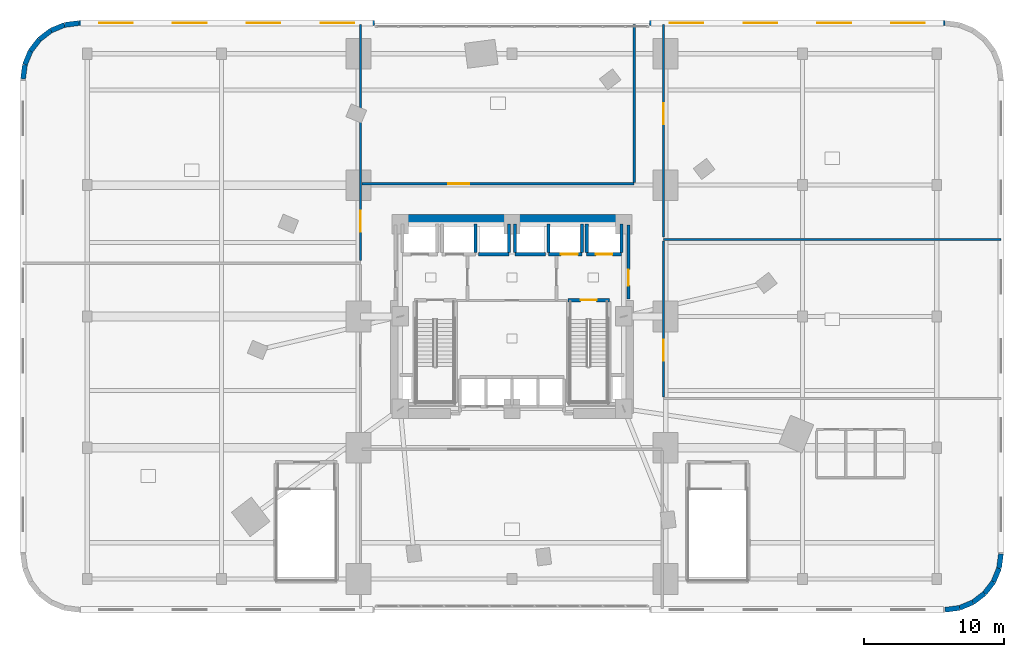
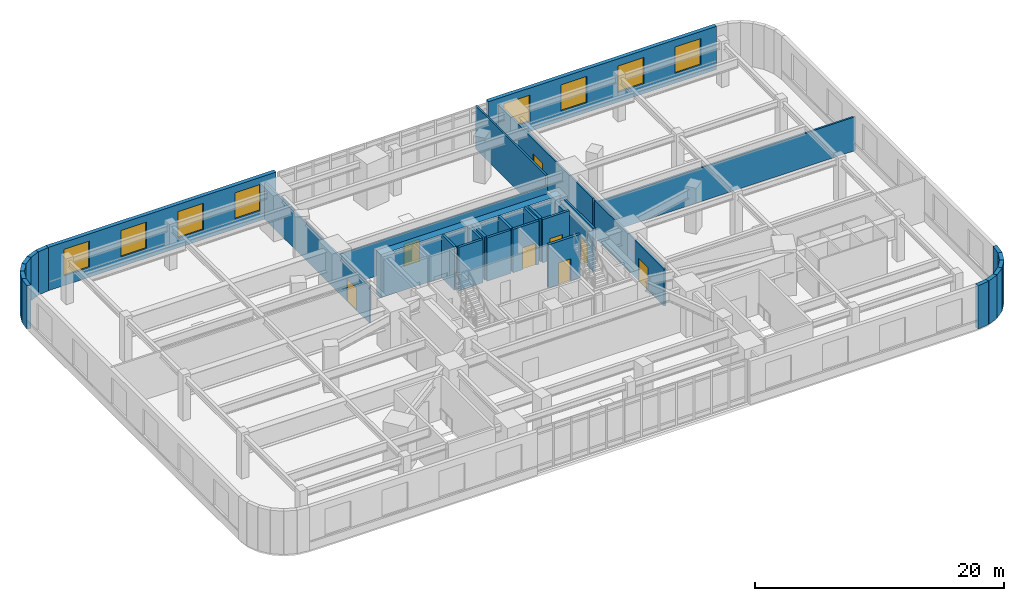
# One storey, part 16 of 20: 34 walls, 8 doors, 8 windows, 16 openings.
"""IFC4 building model written with IfcOpenShell, lengths in metres."""

from ifc_helpers import new_model, si_unit, direction, frame, frame_2d, origin, place, context, subcontext, project, spatial, rectangle, extrude, material, layer, layer_set, type_object, element, fill, save


model = new_model("IFC4")

# Units and contexts
model_context = context("Model", 3, precision=1e-05, world=origin(), true_north=direction((0.0, 1.0)))
body_context = subcontext(model_context, "Body", "Model", "MODEL_VIEW")
ifc_project = project(units=[si_unit("LENGTHUNIT", "METRE"), si_unit("AREAUNIT", "SQUARE_METRE"), si_unit("VOLUMEUNIT", "CUBIC_METRE"), si_unit("PLANEANGLEUNIT", "RADIAN"), si_unit("MASSUNIT", "GRAM", prefix="KILO")], contexts=[model_context])

# Site, building, storey
site_placement = place(None, origin())
site = spatial("IfcSite", under=ifc_project, at=site_placement, CompositionType="ELEMENT")
building_placement = place(site_placement, origin())
building = spatial("IfcBuilding", under=site, at=building_placement, Name="Ndelora Gate Hotel", CompositionType="ELEMENT")
storey_placement = place(building_placement, frame((0.0, 0.0, 26.0)))
storey = spatial("IfcBuildingStorey", under=building, at=storey_placement, Name="L05", CompositionType="ELEMENT", Elevation=26.0)

# Walls
ifc_material_1 = material(Name="Clay Brick Masonry", Category="masonry")
ifc_layer_1 = layer(ifc_material_1, 0.360107421875)
ifc_layer_set_1 = layer_set([ifc_layer_1], Name="Clay Brick Masonry")
wall_type_1 = type_object("IfcWallType", Name="WL-BRICK-360", PredefinedType="SOLIDWALL", material=ifc_layer_set_1)
wall_1_placement = place(storey_placement, frame((32.035400390625, -20.86376953125, 0.0), z_axis=(0.0, 0.0, 1.0), x_axis=(-0.991455091231, -0.130448465198, 0.0)))
element("IfcWall", 1, at=wall_1_placement, inside=storey, type_object=wall_type_1, Name="L05 Exterior Brick Pier-and-Spandrel Wall 1", PredefinedType="SOLIDWALL", context=body_context, shape_type="SweptSolid", body=[
    extrude(rectangle(XDim=1.04443359375, YDim=0.360107421875, at=frame_2d((0.522216796875, 0.0))), origin(), (0.0, 0.0, 1.0), 4.25),
])
for number, where, z_axis, x_axis, name in (
    (2, (33.0, -20.464111328125, 0.0), (0.0, 0.0, 1.0), (-0.923842970528, -0.382771688877, 0.0), "L05 Exterior Brick Pier-and-Spandrel Wall 2"),
    (3, (33.828369140625, -19.828369140625, 0.0), (0.0, 0.0, 1.0), (-0.793301447628, -0.608829050876, 0.0), "L05 Exterior Brick Pier-and-Spandrel Wall 3"),
    (4, (34.464111328125, -19.0, 0.0), (0.0, 0.0, 1.0), (-0.608829050876, -0.793301447628, 0.0), "L05 Exterior Brick Pier-and-Spandrel Wall 4"),
    (5, (34.86376953125, -18.035400390625, 0.0), (0.0, 0.0, 1.0), (-0.382771688877, -0.923842970528, 0.0), "L05 Exterior Brick Pier-and-Spandrel Wall 5"),
):
    element("IfcWall", number, at=place(storey_placement, frame(where, z_axis=z_axis, x_axis=x_axis)), inside=storey, type_object=wall_type_1, Name=name, PredefinedType="SOLIDWALL", context=body_context, shape_type="SweptSolid", body=[
        extrude(rectangle(XDim=1.044189453125, YDim=0.360107421875, at=frame_2d((0.52197265625, 0.0))), origin(), (0.0, 0.0, 1.0), 4.25),
    ])
wall_2_placement = place(storey_placement, frame((35.0, -17.0, 0.0), z_axis=(0.0, 0.0, 1.0), x_axis=(-0.130448465198, -0.991455091231, 0.0)))
element("IfcWall", 6, at=wall_2_placement, inside=storey, type_object=wall_type_1, Name="L05 Exterior Brick Pier-and-Spandrel Wall 6", PredefinedType="SOLIDWALL", context=body_context, shape_type="SweptSolid", body=[
    extrude(rectangle(XDim=1.04443359375, YDim=0.360107421875, at=frame_2d((0.522216796875, 0.0))), origin(), (0.0, 0.0, 1.0), 4.25),
])

# Wall, openings, windows
wall_3_placement = place(storey_placement, frame((-31.0, 21.0, 0.0), z_axis=(0.0, 0.0, 1.0), x_axis=(1.0, 0.0, 0.0)))
wall_3 = element("IfcWall", 7, at=wall_3_placement, inside=storey, type_object=wall_type_1, Name="L05 Exterior Brick Pier-and-Spandrel Wall 14", PredefinedType="SOLIDWALL", context=body_context, shape_type="SweptSolid", body=[
    extrude(rectangle(XDim=21.14990234375, YDim=0.360107421875, at=frame_2d((10.574951171875, 0.0))), origin(), (0.0, 0.0, 1.0), 4.25),
])
opening_1_placement = place(wall_3_placement, frame((1.443603515625, 0.0, 0.949951171875)))
opening_1 = element("IfcOpeningElement", 8, at=opening_1_placement, cuts=wall_3, Name="Opening W04", PredefinedType="OPENING", context=body_context, shape_type="SweptSolid", body=[
    extrude(rectangle(XDim=2.39990234375, YDim=2.60009765625, at=frame_2d((1.199951171875, 1.300048828125))), frame((0.0, 0.18994140625, 0.0), z_axis=(0.0, -1.0, 0.0), x_axis=(1.0, 0.0, 0.0)), (0.0, 0.0, 1.0), 0.380126953125),
])
opening_2_placement = place(wall_3_placement, frame((6.731201171875, 0.0, 0.949951171875)))
opening_2 = element("IfcOpeningElement", 9, at=opening_2_placement, cuts=wall_3, Name="Opening W04", PredefinedType="OPENING", context=body_context, shape_type="SweptSolid", body=[
    extrude(rectangle(XDim=2.39990234375, YDim=2.60009765625, at=frame_2d((1.199951171875, 1.300048828125))), frame((0.0, 0.18994140625, 0.0), z_axis=(0.0, -1.0, 0.0), x_axis=(1.0, 0.0, 0.0)), (0.0, 0.0, 1.0), 0.380126953125),
])
opening_3_placement = place(wall_3_placement, frame((12.018798828125, 0.0, 0.949951171875)))
opening_3 = element("IfcOpeningElement", 10, at=opening_3_placement, cuts=wall_3, Name="Opening W04", PredefinedType="OPENING", context=body_context, shape_type="SweptSolid", body=[
    extrude(rectangle(XDim=2.39990234375, YDim=2.60009765625, at=frame_2d((1.199951171875, 1.300048828125))), frame((0.0, 0.18994140625, 0.0), z_axis=(0.0, -1.0, 0.0), x_axis=(1.0, 0.0, 0.0)), (0.0, 0.0, 1.0), 0.380126953125),
])
opening_4_placement = place(wall_3_placement, frame((17.30615234375, 0.0, 0.949951171875)))
opening_4 = element("IfcOpeningElement", 11, at=opening_4_placement, cuts=wall_3, Name="Opening W04", PredefinedType="OPENING", context=body_context, shape_type="SweptSolid", body=[
    extrude(rectangle(XDim=2.39990234375, YDim=2.60009765625, at=frame_2d((1.199951171875, 1.300048828125))), frame((0.0, 0.18994140625, 0.0), z_axis=(0.0, -1.0, 0.0), x_axis=(1.0, 0.0, 0.0)), (0.0, 0.0, 1.0), 0.380126953125),
])
ifc_material_2 = material(Name="Insulated Low-E Double Glazing in Bronze Aluminium Frame", Category="aluminium")
window_type = type_object("IfcWindowType", Name="WN-POD-2400", PartitioningType="SINGLE_PANEL", PredefinedType="WINDOW", material=ifc_material_2)
window_1_placement = place(opening_1_placement, origin())
window_1 = element("IfcWindow", 12, at=window_1_placement, inside=storey, type_object=window_type, Name="L05 Deep-Set Podium Brick-Frame Window W04", OverallHeight=2.60009765625, OverallWidth=2.39990234375, PartitioningType="SINGLE_PANEL", PredefinedType="WINDOW", context=body_context, shape_type="SweptSolid", body=[
    extrude(rectangle(XDim=2.39990234375, YDim=2.60009765625, at=frame_2d((1.199951171875, 1.300048828125))), frame((0.0, 0.030029296875, 0.0), z_axis=(0.0, -1.0, 0.0), x_axis=(1.0, 0.0, 0.0)), (0.0, 0.0, 1.0), 0.06005859375),
])
fill(opening_1, window_1)
window_2_placement = place(opening_2_placement, origin())
window_2 = element("IfcWindow", 13, at=window_2_placement, inside=storey, type_object=window_type, Name="L05 Deep-Set Podium Brick-Frame Window W04", OverallHeight=2.60009765625, OverallWidth=2.39990234375, PartitioningType="SINGLE_PANEL", PredefinedType="WINDOW", context=body_context, shape_type="SweptSolid", body=[
    extrude(rectangle(XDim=2.39990234375, YDim=2.60009765625, at=frame_2d((1.199951171875, 1.300048828125))), frame((0.0, 0.030029296875, 0.0), z_axis=(0.0, -1.0, 0.0), x_axis=(1.0, 0.0, 0.0)), (0.0, 0.0, 1.0), 0.06005859375),
])
fill(opening_2, window_2)
window_3_placement = place(opening_3_placement, origin())
window_3 = element("IfcWindow", 14, at=window_3_placement, inside=storey, type_object=window_type, Name="L05 Deep-Set Podium Brick-Frame Window W04", OverallHeight=2.60009765625, OverallWidth=2.39990234375, PartitioningType="SINGLE_PANEL", PredefinedType="WINDOW", context=body_context, shape_type="SweptSolid", body=[
    extrude(rectangle(XDim=2.39990234375, YDim=2.60009765625, at=frame_2d((1.199951171875, 1.300048828125))), frame((0.0, 0.030029296875, 0.0), z_axis=(0.0, -1.0, 0.0), x_axis=(1.0, 0.0, 0.0)), (0.0, 0.0, 1.0), 0.06005859375),
])
fill(opening_3, window_3)
window_4_placement = place(opening_4_placement, origin())
window_4 = element("IfcWindow", 15, at=window_4_placement, inside=storey, type_object=window_type, Name="L05 Deep-Set Podium Brick-Frame Window W04", OverallHeight=2.60009765625, OverallWidth=2.39990234375, PartitioningType="SINGLE_PANEL", PredefinedType="WINDOW", context=body_context, shape_type="SweptSolid", body=[
    extrude(rectangle(XDim=2.39990234375, YDim=2.60009765625, at=frame_2d((1.199951171875, 1.300048828125))), frame((0.0, 0.030029296875, 0.0), z_axis=(0.0, -1.0, 0.0), x_axis=(1.0, 0.0, 0.0)), (0.0, 0.0, 1.0), 0.06005859375),
])
fill(opening_4, window_4)

wall_4_placement = place(storey_placement, frame((9.85009765625, 21.0, 0.0), z_axis=(0.0, 0.0, 1.0), x_axis=(1.0, 0.0, 0.0)))
wall_4 = element("IfcWall", 16, at=wall_4_placement, inside=storey, type_object=wall_type_1, Name="L05 Exterior Brick Pier-and-Spandrel Wall 15", PredefinedType="SOLIDWALL", context=body_context, shape_type="SweptSolid", body=[
    extrude(rectangle(XDim=21.14990234375, YDim=0.360107421875, at=frame_2d((10.574951171875, 0.0))), origin(), (0.0, 0.0, 1.0), 4.25),
])
opening_5_placement = place(wall_4_placement, frame((1.443603515625, 0.0, 0.949951171875)))
opening_5 = element("IfcOpeningElement", 17, at=opening_5_placement, cuts=wall_4, Name="Opening W04", PredefinedType="OPENING", context=body_context, shape_type="SweptSolid", body=[
    extrude(rectangle(XDim=2.39990234375, YDim=2.60009765625, at=frame_2d((1.199951171875, 1.300048828125))), frame((0.0, 0.18994140625, 0.0), z_axis=(0.0, -1.0, 0.0), x_axis=(1.0, 0.0, 0.0)), (0.0, 0.0, 1.0), 0.380126953125),
])
opening_6_placement = place(wall_4_placement, frame((6.731201171875, 0.0, 0.949951171875)))
opening_6 = element("IfcOpeningElement", 18, at=opening_6_placement, cuts=wall_4, Name="Opening W04", PredefinedType="OPENING", context=body_context, shape_type="SweptSolid", body=[
    extrude(rectangle(XDim=2.39990234375, YDim=2.60009765625, at=frame_2d((1.199951171875, 1.300048828125))), frame((0.0, 0.18994140625, 0.0), z_axis=(0.0, -1.0, 0.0), x_axis=(1.0, 0.0, 0.0)), (0.0, 0.0, 1.0), 0.380126953125),
])
opening_7_placement = place(wall_4_placement, frame((12.018798828125, 0.0, 0.949951171875)))
opening_7 = element("IfcOpeningElement", 19, at=opening_7_placement, cuts=wall_4, Name="Opening W04", PredefinedType="OPENING", context=body_context, shape_type="SweptSolid", body=[
    extrude(rectangle(XDim=2.39990234375, YDim=2.60009765625, at=frame_2d((1.199951171875, 1.300048828125))), frame((0.0, 0.18994140625, 0.0), z_axis=(0.0, -1.0, 0.0), x_axis=(1.0, 0.0, 0.0)), (0.0, 0.0, 1.0), 0.380126953125),
])
opening_8_placement = place(wall_4_placement, frame((17.30615234375, 0.0, 0.949951171875)))
opening_8 = element("IfcOpeningElement", 20, at=opening_8_placement, cuts=wall_4, Name="Opening W04", PredefinedType="OPENING", context=body_context, shape_type="SweptSolid", body=[
    extrude(rectangle(XDim=2.39990234375, YDim=2.60009765625, at=frame_2d((1.199951171875, 1.300048828125))), frame((0.0, 0.18994140625, 0.0), z_axis=(0.0, -1.0, 0.0), x_axis=(1.0, 0.0, 0.0)), (0.0, 0.0, 1.0), 0.380126953125),
])
window_5_placement = place(opening_5_placement, origin())
window_5 = element("IfcWindow", 21, at=window_5_placement, inside=storey, type_object=window_type, Name="L05 Deep-Set Podium Brick-Frame Window W04", OverallHeight=2.60009765625, OverallWidth=2.39990234375, PartitioningType="SINGLE_PANEL", PredefinedType="WINDOW", context=body_context, shape_type="SweptSolid", body=[
    extrude(rectangle(XDim=2.39990234375, YDim=2.60009765625, at=frame_2d((1.199951171875, 1.300048828125))), frame((0.0, 0.030029296875, 0.0), z_axis=(0.0, -1.0, 0.0), x_axis=(1.0, 0.0, 0.0)), (0.0, 0.0, 1.0), 0.06005859375),
])
fill(opening_5, window_5)
window_6_placement = place(opening_6_placement, origin())
window_6 = element("IfcWindow", 22, at=window_6_placement, inside=storey, type_object=window_type, Name="L05 Deep-Set Podium Brick-Frame Window W04", OverallHeight=2.60009765625, OverallWidth=2.39990234375, PartitioningType="SINGLE_PANEL", PredefinedType="WINDOW", context=body_context, shape_type="SweptSolid", body=[
    extrude(rectangle(XDim=2.39990234375, YDim=2.60009765625, at=frame_2d((1.199951171875, 1.300048828125))), frame((0.0, 0.030029296875, 0.0), z_axis=(0.0, -1.0, 0.0), x_axis=(1.0, 0.0, 0.0)), (0.0, 0.0, 1.0), 0.06005859375),
])
fill(opening_6, window_6)
window_7_placement = place(opening_7_placement, origin())
window_7 = element("IfcWindow", 23, at=window_7_placement, inside=storey, type_object=window_type, Name="L05 Deep-Set Podium Brick-Frame Window W04", OverallHeight=2.60009765625, OverallWidth=2.39990234375, PartitioningType="SINGLE_PANEL", PredefinedType="WINDOW", context=body_context, shape_type="SweptSolid", body=[
    extrude(rectangle(XDim=2.39990234375, YDim=2.60009765625, at=frame_2d((1.199951171875, 1.300048828125))), frame((0.0, 0.030029296875, 0.0), z_axis=(0.0, -1.0, 0.0), x_axis=(1.0, 0.0, 0.0)), (0.0, 0.0, 1.0), 0.06005859375),
])
fill(opening_7, window_7)
window_8_placement = place(opening_8_placement, origin())
window_8 = element("IfcWindow", 24, at=window_8_placement, inside=storey, type_object=window_type, Name="L05 Deep-Set Podium Brick-Frame Window W04", OverallHeight=2.60009765625, OverallWidth=2.39990234375, PartitioningType="SINGLE_PANEL", PredefinedType="WINDOW", context=body_context, shape_type="SweptSolid", body=[
    extrude(rectangle(XDim=2.39990234375, YDim=2.60009765625, at=frame_2d((1.199951171875, 1.300048828125))), frame((0.0, 0.030029296875, 0.0), z_axis=(0.0, -1.0, 0.0), x_axis=(1.0, 0.0, 0.0)), (0.0, 0.0, 1.0), 0.06005859375),
])
fill(opening_8, window_8)

# Walls
wall_5_placement = place(storey_placement, frame((-32.035400390625, 20.86376953125, 0.0), z_axis=(0.0, 0.0, 1.0), x_axis=(0.991455091231, 0.130448465198, 0.0)))
element("IfcWall", 25, at=wall_5_placement, inside=storey, type_object=wall_type_1, Name="L05 Exterior Brick Pier-and-Spandrel Wall 16", PredefinedType="SOLIDWALL", context=body_context, shape_type="SweptSolid", body=[
    extrude(rectangle(XDim=1.04443359375, YDim=0.360107421875, at=frame_2d((0.522216796875, 0.0))), origin(), (0.0, 0.0, 1.0), 4.25),
])
for number, where, z_axis, x_axis, name in (
    (26, (-33.0, 20.464111328125, 0.0), (0.0, 0.0, 1.0), (0.923842970528, 0.382771688877, 0.0), "L05 Exterior Brick Pier-and-Spandrel Wall 17"),
    (27, (-33.828369140625, 19.828369140625, 0.0), (0.0, 0.0, 1.0), (0.793301447628, 0.608829050876, 0.0), "L05 Exterior Brick Pier-and-Spandrel Wall 18"),
    (28, (-34.464111328125, 19.0, 0.0), (0.0, 0.0, 1.0), (0.608829050876, 0.793301447628, 0.0), "L05 Exterior Brick Pier-and-Spandrel Wall 19"),
    (29, (-34.86376953125, 18.035400390625, 0.0), (0.0, 0.0, 1.0), (0.382771688877, 0.923842970528, 0.0), "L05 Exterior Brick Pier-and-Spandrel Wall 20"),
):
    element("IfcWall", number, at=place(storey_placement, frame(where, z_axis=z_axis, x_axis=x_axis)), inside=storey, type_object=wall_type_1, Name=name, PredefinedType="SOLIDWALL", context=body_context, shape_type="SweptSolid", body=[
        extrude(rectangle(XDim=1.044189453125, YDim=0.360107421875, at=frame_2d((0.52197265625, 0.0))), origin(), (0.0, 0.0, 1.0), 4.25),
    ])
wall_6_placement = place(storey_placement, frame((-35.0, 17.0, 0.0), z_axis=(0.0, 0.0, 1.0), x_axis=(0.130448465198, 0.991455091231, 0.0)))
element("IfcWall", 30, at=wall_6_placement, inside=storey, type_object=wall_type_1, Name="L05 Exterior Brick Pier-and-Spandrel Wall 21", PredefinedType="SOLIDWALL", context=body_context, shape_type="SweptSolid", body=[
    extrude(rectangle(XDim=1.04443359375, YDim=0.360107421875, at=frame_2d((0.522216796875, 0.0))), origin(), (0.0, 0.0, 1.0), 4.25),
])
ifc_material_3 = material(Name="Concrete C60/75", Category="concrete")
ifc_layer_2 = layer(ifc_material_3, 0.699951171875)
ifc_layer_set_2 = layer_set([ifc_layer_2], Name="Concrete C60/75")
wall_type_2 = type_object("IfcWallType", Name="WL-CORE-700", PredefinedType="SHEAR", material=ifc_layer_set_2)
wall_7_placement = place(storey_placement, frame((-8.35009765625, 6.949951171875, 0.0), z_axis=(0.0, 0.0, 1.0), x_axis=(1.0, 0.0, 0.0)))
element("IfcWall", 31, at=wall_7_placement, inside=storey, type_object=wall_type_2, Name="L05 Core Shear Wall N", PredefinedType="SHEAR", context=body_context, shape_type="SweptSolid", body=[
    extrude(rectangle(XDim=16.7001953125, YDim=0.699951171875, at=frame_2d((8.35009765625, 0.0))), origin(), (0.0, 0.0, 1.0), 4.25),
])

# Wall, opening, door
ifc_material_4 = material(Name="Concrete C40/50", Category="concrete")
ifc_layer_3 = layer(ifc_material_4, 0.199951171875)
ifc_layer_set_3 = layer_set([ifc_layer_3], Name="Concrete C40/50")
wall_type_3 = type_object("IfcWallType", Name="WL-FIRE-200", PredefinedType="PARTITIONING", material=ifc_layer_set_3)
wall_8_placement = place(storey_placement, frame((8.35009765625, 1.25, 0.0), z_axis=(0.0, 0.0, 1.0), x_axis=(0.0, 1.0, 0.0)))
wall_8 = element("IfcWall", 32, at=wall_8_placement, inside=storey, type_object=wall_type_3, Name="L05 Interior Wall IW-2", PredefinedType="PARTITIONING", context=body_context, shape_type="SweptSolid", body=[
    extrude(rectangle(XDim=5.300048828125, YDim=0.199951171875, at=frame_2d((2.64990234375, 0.0))), origin(), (0.0, 0.0, 1.0), 4.25),
])
opening_9_placement = place(wall_8_placement, frame((0.949951171875, 0.0, 0.0)))
opening_9 = element("IfcOpeningElement", 33, at=opening_9_placement, cuts=wall_8, Name="Opening FD1", PredefinedType="OPENING", context=body_context, shape_type="SweptSolid", body=[
    extrude(rectangle(XDim=1.14990234375, YDim=2.14990234375, at=frame_2d((0.574951171875, 1.074951171875))), frame((0.0, 0.10986328125, 0.0), z_axis=(0.0, -1.0, 0.0), x_axis=(1.0, 0.0, 0.0)), (0.0, 0.0, 1.0), 0.219970703125),
])
ifc_material_5 = material(Name="Fire-Rated Timber-Veneer Steel Core", Category="steel")
door_type_1 = type_object("IfcDoorType", Name="DR-FD60", OperationType="SINGLE_SWING_LEFT", PredefinedType="DOOR", material=ifc_material_5)
door_1_placement = place(opening_9_placement, origin())
door_1 = element("IfcDoor", 34, at=door_1_placement, inside=storey, type_object=door_type_1, Name="L05 Firefighting Lobby East Corridor Door", OperationType="SINGLE_SWING_RIGHT", OverallHeight=2.14990234375, OverallWidth=1.14990234375, PredefinedType="DOOR", context=body_context, shape_type="SweptSolid", body=[
    extrude(rectangle(XDim=1.14990234375, YDim=2.14990234375, at=frame_2d((0.574951171875, 1.074951171875))), frame((0.0, 0.02490234375, 0.0), z_axis=(0.0, -1.0, 0.0), x_axis=(1.0, 0.0, 0.0)), (0.0, 0.0, 1.0), 0.050048828125),
])
fill(opening_9, door_1)

ifc_material_6 = material(Name="Fire-Rated Gypsum Stud Partition", Category="gypsum")
ifc_layer_4 = layer(ifc_material_6, 0.159912109375)
ifc_layer_set_4 = layer_set([ifc_layer_4], Name="Fire-Rated Gypsum Stud Partition")
wall_type_4 = type_object("IfcWallType", Name="WL-PART-160", PredefinedType="PARTITIONING", material=ifc_layer_set_4)
wall_9_placement = place(storey_placement, frame((-10.85009765625, 4.0, 0.0), z_axis=(0.0, 0.0, 1.0), x_axis=(0.0, 1.0, 0.0)))
wall_9 = element("IfcWall", 35, at=wall_9_placement, inside=storey, type_object=wall_type_4, Name="L05 Interior Wall IW-4", PredefinedType="PARTITIONING", context=body_context, shape_type="SweptSolid", body=[
    extrude(rectangle(XDim=16.89990234375, YDim=0.159912109375, at=frame_2d((8.449951171875, 0.0))), origin(), (0.0, 0.0, 1.0), 3.6201171875),
])
opening_10_placement = place(wall_9_placement, frame((2.06005859375, 0.0, 0.0)))
opening_10 = element("IfcOpeningElement", 36, at=opening_10_placement, cuts=wall_9, Name="Opening D06", PredefinedType="OPENING", context=body_context, shape_type="SweptSolid", body=[
    extrude(rectangle(XDim=1.5, YDim=2.199951171875, at=frame_2d((0.75, 1.10009765625))), frame((0.0, 0.08984375, 0.0), z_axis=(0.0, -1.0, 0.0), x_axis=(1.0, 0.0, 0.0)), (0.0, 0.0, 1.0), 0.179931640625),
])
ifc_material_7 = material(Name="Podium Salon Double Leaf Door", Category="wood")
door_type_2 = type_object("IfcDoorType", Name="DR-POD-1500", OperationType="DOUBLE_DOOR_SINGLE_SWING", PredefinedType="DOOR", material=ifc_material_7)
door_2_placement = place(opening_10_placement, origin())
door_2 = element("IfcDoor", 37, at=door_2_placement, inside=storey, type_object=door_type_2, Name="L05 Rift Valley Conference Room Door", OperationType="DOUBLE_DOOR_SINGLE_SWING", OverallHeight=2.199951171875, OverallWidth=1.5, PredefinedType="DOOR", context=body_context, shape_type="SweptSolid", body=[
    extrude(rectangle(XDim=1.5, YDim=2.199951171875, at=frame_2d((0.75, 1.10009765625))), frame((0.0, 0.02490234375, 0.0), z_axis=(0.0, -1.0, 0.0), x_axis=(1.0, 0.0, 0.0)), (0.0, 0.0, 1.0), 0.050048828125),
])
fill(opening_10, door_2)

# Wall
wall_10_placement = place(storey_placement, frame((35.0, 5.5, 0.0), z_axis=(0.0, 0.0, 1.0), x_axis=(-1.0, 0.0, 0.0)))
element("IfcWall", 38, at=wall_10_placement, inside=storey, type_object=wall_type_4, Name="L05 Interior Wall IW-4", PredefinedType="PARTITIONING", context=body_context, shape_type="SweptSolid", body=[
    extrude(rectangle(XDim=24.14990234375, YDim=0.159912109375, at=frame_2d((12.074951171875, 0.0))), origin(), (0.0, 0.0, 1.0), 3.320068359375),
])

# Wall, opening, door
wall_11_placement = place(storey_placement, frame((10.85009765625, 5.39990234375, 0.0), z_axis=(0.0, 0.0, 1.0), x_axis=(0.0, -1.0, 0.0)))
wall_11 = element("IfcWall", 39, at=wall_11_placement, inside=storey, type_object=wall_type_4, Name="L05 Interior Wall IW-4", PredefinedType="PARTITIONING", context=body_context, shape_type="SweptSolid", body=[
    extrude(rectangle(XDim=11.179931640625, YDim=0.159912109375, at=frame_2d((5.58984375, 0.0))), origin(), (0.0, 0.0, 1.0), 3.6298828125),
])
opening_11_placement = place(wall_11_placement, frame((7.06005859375, 0.0, 0.0)))
opening_11 = element("IfcOpeningElement", 40, at=opening_11_placement, cuts=wall_11, Name="Opening D06", PredefinedType="OPENING", context=body_context, shape_type="SweptSolid", body=[
    extrude(rectangle(XDim=1.5, YDim=2.199951171875, at=frame_2d((0.75, 1.10009765625))), frame((0.0, 0.08984375, 0.0), z_axis=(0.0, -1.0, 0.0), x_axis=(1.0, 0.0, 0.0)), (0.0, 0.0, 1.0), 0.179931640625),
])
door_3_placement = place(opening_11_placement, origin())
door_3 = element("IfcDoor", 41, at=door_3_placement, inside=storey, type_object=door_type_2, Name="L05 Business Centre Office Door", OperationType="DOUBLE_DOOR_SINGLE_SWING", OverallHeight=2.199951171875, OverallWidth=1.5, PredefinedType="DOOR", context=body_context, shape_type="SweptSolid", body=[
    extrude(rectangle(XDim=1.5, YDim=2.199951171875, at=frame_2d((0.75, 1.10009765625))), frame((0.0, 0.02490234375, 0.0), z_axis=(0.0, -1.0, 0.0), x_axis=(1.0, 0.0, 0.0)), (0.0, 0.0, 1.0), 0.050048828125),
])
fill(opening_11, door_3)

wall_12_placement = place(storey_placement, frame((10.85009765625, 20.89990234375, 0.0), z_axis=(0.0, 0.0, 1.0), x_axis=(0.0, -1.0, 0.0)))
wall_12 = element("IfcWall", 42, at=wall_12_placement, inside=storey, type_object=wall_type_4, Name="L05 Interior Wall IW-4", PredefinedType="PARTITIONING", context=body_context, shape_type="SweptSolid", body=[
    extrude(rectangle(XDim=15.199951171875, YDim=0.159912109375, at=frame_2d((7.60009765625, 0.0))), origin(), (0.0, 0.0, 1.0), 3.6201171875),
])
opening_12_placement = place(wall_12_placement, frame((5.64990234375, 0.0, 0.0)))
opening_12 = element("IfcOpeningElement", 43, at=opening_12_placement, cuts=wall_12, Name="Opening D06", PredefinedType="OPENING", context=body_context, shape_type="SweptSolid", body=[
    extrude(rectangle(XDim=1.5, YDim=2.199951171875, at=frame_2d((0.75, 1.10009765625))), frame((0.0, 0.08984375, 0.0), z_axis=(0.0, -1.0, 0.0), x_axis=(1.0, 0.0, 0.0)), (0.0, 0.0, 1.0), 0.179931640625),
])
door_4_placement = place(opening_12_placement, origin())
door_4 = element("IfcDoor", 44, at=door_4_placement, inside=storey, type_object=door_type_2, Name="L05 Podium Conservatory Tea Salon Door", OperationType="DOUBLE_DOOR_SINGLE_SWING", OverallHeight=2.199951171875, OverallWidth=1.5, PredefinedType="DOOR", context=body_context, shape_type="SweptSolid", body=[
    extrude(rectangle(XDim=1.5, YDim=2.199951171875, at=frame_2d((0.75, 1.10009765625))), frame((0.0, 0.02490234375, 0.0), z_axis=(0.0, -1.0, 0.0), x_axis=(1.0, 0.0, 0.0)), (0.0, 0.0, 1.0), 0.050048828125),
])
fill(opening_12, door_4)

wall_13_placement = place(storey_placement, frame((-10.75, 9.5, 0.0), z_axis=(0.0, 0.0, 1.0), x_axis=(1.0, 0.0, 0.0)))
wall_13 = element("IfcWall", 45, at=wall_13_placement, inside=storey, type_object=wall_type_4, Name="L05 Interior Wall IW-4", PredefinedType="PARTITIONING", context=body_context, shape_type="SweptSolid", body=[
    extrude(rectangle(XDim=19.5, YDim=0.159912109375, at=frame_2d((9.75, 0.0))), origin(), (0.0, 0.0, 1.0), 3.330078125),
])
opening_13_placement = place(wall_13_placement, frame((6.199951171875, 0.0, 0.0)))
opening_13 = element("IfcOpeningElement", 46, at=opening_13_placement, cuts=wall_13, Name="Opening D06", PredefinedType="OPENING", context=body_context, shape_type="SweptSolid", body=[
    extrude(rectangle(XDim=1.5, YDim=2.199951171875, at=frame_2d((0.75, 1.10009765625))), frame((0.0, 0.08984375, 0.0), z_axis=(0.0, -1.0, 0.0), x_axis=(1.0, 0.0, 0.0)), (0.0, 0.0, 1.0), 0.179931640625),
])
door_5_placement = place(opening_13_placement, origin())
door_5 = element("IfcDoor", 47, at=door_5_placement, inside=storey, type_object=door_type_2, Name="L05 Conference Delegate Salon Door", OperationType="DOUBLE_DOOR_SINGLE_SWING", OverallHeight=2.199951171875, OverallWidth=1.5, PredefinedType="DOOR", context=body_context, shape_type="SweptSolid", body=[
    extrude(rectangle(XDim=1.5, YDim=2.199951171875, at=frame_2d((0.75, 1.10009765625))), frame((0.0, 0.02490234375, 0.0), z_axis=(0.0, -1.0, 0.0), x_axis=(1.0, 0.0, 0.0)), (0.0, 0.0, 1.0), 0.050048828125),
])
fill(opening_13, door_5)

# Wall
wall_14_placement = place(storey_placement, frame((8.75, 9.60009765625, 0.0), z_axis=(0.0, 0.0, 1.0), x_axis=(0.0, 1.0, 0.0)))
element("IfcWall", 48, at=wall_14_placement, inside=storey, type_object=wall_type_4, Name="L05 Interior Wall IW-4", PredefinedType="PARTITIONING", context=body_context, shape_type="SweptSolid", body=[
    extrude(rectangle(XDim=11.2998046875, YDim=0.159912109375, at=frame_2d((5.64990234375, 0.0))), origin(), (0.0, 0.0, 1.0), 4.25),
])

# Wall, opening, door
ifc_layer_5 = layer(ifc_material_4, 0.219970703125)
ifc_layer_set_5 = layer_set([ifc_layer_5], Name="Concrete C40/50")
wall_type_5 = type_object("IfcWallType", Name="WL-SHAFT-220", PredefinedType="PARTITIONING", material=ifc_layer_set_5)
wall_15_placement = place(storey_placement, frame((5.35009765625, 4.449951171875, 0.0), z_axis=(0.0, 0.0, 1.0), x_axis=(1.0, 0.0, 0.0)))
wall_15 = element("IfcWall", 49, at=wall_15_placement, inside=storey, type_object=wall_type_5, Name="L05 Interior Wall IW-1", PredefinedType="PARTITIONING", context=body_context, shape_type="SweptSolid", body=[
    extrude(rectangle(XDim=2.5, YDim=0.219970703125, at=frame_2d((1.25, 0.0))), origin(), (0.0, 0.0, 1.0), 4.25),
])
opening_14_placement = place(wall_15_placement, frame((0.659912109375, 0.0, 0.0)))
opening_14 = element("IfcOpeningElement", 50, at=opening_14_placement, cuts=wall_15, Name="Opening LD5", PredefinedType="OPENING", context=body_context, shape_type="SweptSolid", body=[
    extrude(rectangle(XDim=1.179931640625, YDim=2.14990234375, at=frame_2d((0.58984375, 1.074951171875))), frame((0.0, 0.1201171875, 0.0), z_axis=(0.0, -1.0, 0.0), x_axis=(1.0, 0.0, 0.0)), (0.0, 0.0, 1.0), 0.239990234375),
])
ifc_material_8 = material(Name="Firefighting Lift Stainless Sliding Landing Door", Category="metal")
door_type_3 = type_object("IfcDoorType", Name="DR-LD5", OperationType="DOUBLE_DOOR_SLIDING", PredefinedType="DOOR", material=ifc_material_8)
door_6_placement = place(opening_14_placement, origin())
door_6 = element("IfcDoor", 51, at=door_6_placement, inside=storey, type_object=door_type_3, Name="L05 Lift Landing Sliding Door FFL2", OperationType="DOUBLE_DOOR_SLIDING", OverallHeight=2.14990234375, OverallWidth=1.179931640625, PredefinedType="DOOR", context=body_context, shape_type="SweptSolid", body=[
    extrude(rectangle(XDim=1.179931640625, YDim=2.14990234375, at=frame_2d((0.58984375, 1.074951171875))), frame((0.0, 0.02490234375, 0.0), z_axis=(0.0, -1.0, 0.0), x_axis=(1.0, 0.0, 0.0)), (0.0, 0.0, 1.0), 0.050048828125),
])
fill(opening_14, door_6)

# Walls
wall_16_placement = place(storey_placement, frame((5.35009765625, 4.570068359375, 0.0), z_axis=(0.0, 0.0, 1.0), x_axis=(0.0, 1.0, 0.0)))
element("IfcWall", 52, at=wall_16_placement, inside=storey, type_object=wall_type_5, Name="L05 Interior Wall IW-1", PredefinedType="PARTITIONING", context=body_context, shape_type="SweptSolid", body=[
    extrude(rectangle(XDim=2.030029296875, YDim=0.219970703125, at=frame_2d((1.01513671875, 0.0))), origin(), (0.0, 0.0, 1.0), 4.25),
])
wall_17_placement = place(storey_placement, frame((7.85009765625, 4.570068359375, 0.0), z_axis=(0.0, 0.0, 1.0), x_axis=(0.0, 1.0, 0.0)))
element("IfcWall", 53, at=wall_17_placement, inside=storey, type_object=wall_type_5, Name="L05 Interior Wall IW-1", PredefinedType="PARTITIONING", context=body_context, shape_type="SweptSolid", body=[
    extrude(rectangle(XDim=2.030029296875, YDim=0.219970703125, at=frame_2d((1.01513671875, 0.0))), origin(), (0.0, 0.0, 1.0), 3.830078125),
])
wall_18_placement = place(storey_placement, frame((-2.60009765625, 4.570068359375, 0.0), z_axis=(0.0, 0.0, 1.0), x_axis=(0.0, 1.0, 0.0)))
element("IfcWall", 54, at=wall_18_placement, inside=storey, type_object=wall_type_5, Name="L05 Interior Wall IW-1", PredefinedType="PARTITIONING", context=body_context, shape_type="SweptSolid", body=[
    extrude(rectangle(XDim=2.030029296875, YDim=0.219970703125, at=frame_2d((1.01513671875, 0.0))), origin(), (0.0, 0.0, 1.0), 4.25),
])

# Wall, opening, door
wall_19_placement = place(storey_placement, frame((2.60009765625, 4.449951171875, 0.0), z_axis=(0.0, 0.0, 1.0), x_axis=(1.0, 0.0, 0.0)))
wall_19 = element("IfcWall", 55, at=wall_19_placement, inside=storey, type_object=wall_type_5, Name="L05 Interior Wall IW-1", PredefinedType="PARTITIONING", context=body_context, shape_type="SweptSolid", body=[
    extrude(rectangle(XDim=2.39990234375, YDim=0.219970703125, at=frame_2d((1.199951171875, 0.0))), origin(), (0.0, 0.0, 1.0), 4.25),
])
opening_15_placement = place(wall_19_placement, frame((0.89990234375, 0.0, 0.0)))
opening_15 = element("IfcOpeningElement", 56, at=opening_15_placement, cuts=wall_19, Name="Opening LD6", PredefinedType="OPENING", context=body_context, shape_type="SweptSolid", body=[
    extrude(rectangle(XDim=1.219970703125, YDim=2.14990234375, at=frame_2d((0.60986328125, 1.074951171875))), frame((0.0, 0.1201171875, 0.0), z_axis=(0.0, -1.0, 0.0), x_axis=(1.0, 0.0, 0.0)), (0.0, 0.0, 1.0), 0.239990234375),
])
ifc_material_9 = material(Name="Heavy-Duty Service Lift Sliding Landing Door", Category="wood")
door_type_4 = type_object("IfcDoorType", Name="DR-LD6", OperationType="DOUBLE_DOOR_SLIDING", PredefinedType="DOOR", material=ifc_material_9)
door_7_placement = place(opening_15_placement, origin())
door_7 = element("IfcDoor", 57, at=door_7_placement, inside=storey, type_object=door_type_4, Name="L05 Lift Landing Sliding Door SVL2", OperationType="DOUBLE_DOOR_SLIDING", OverallHeight=2.14990234375, OverallWidth=1.219970703125, PredefinedType="DOOR", context=body_context, shape_type="SweptSolid", body=[
    extrude(rectangle(XDim=1.219970703125, YDim=2.14990234375, at=frame_2d((0.60986328125, 1.074951171875))), frame((0.0, 0.02490234375, 0.0), z_axis=(0.0, -1.0, 0.0), x_axis=(1.0, 0.0, 0.0)), (0.0, 0.0, 1.0), 0.050048828125),
])
fill(opening_15, door_7)

# Walls
for number, where, z_axis, x_axis, name in (
    (58, (2.60009765625, 4.570068359375, 0.0), (0.0, 0.0, 1.0), (0.0, 1.0, 0.0), "L05 Interior Wall IW-1"),
    (59, (5.0, 4.570068359375, 0.0), (0.0, 0.0, 1.0), (0.0, 1.0, 0.0), "L05 Interior Wall IW-1"),
):
    element("IfcWall", number, at=place(storey_placement, frame(where, z_axis=z_axis, x_axis=x_axis)), inside=storey, type_object=wall_type_5, Name=name, PredefinedType="PARTITIONING", context=body_context, shape_type="SweptSolid", body=[
        extrude(rectangle(XDim=2.030029296875, YDim=0.219970703125, at=frame_2d((1.01513671875, 0.0))), origin(), (0.0, 0.0, 1.0), 4.25),
    ])
wall_20_placement = place(storey_placement, frame((-2.39990234375, 4.449951171875, 0.0), z_axis=(0.0, 0.0, 1.0), x_axis=(1.0, 0.0, 0.0)))
element("IfcWall", 60, at=wall_20_placement, inside=storey, type_object=wall_type_5, Name="L05 Interior Wall IW-1", PredefinedType="PARTITIONING", context=body_context, shape_type="SweptSolid", body=[
    extrude(rectangle(XDim=2.199951171875, YDim=0.219970703125, at=frame_2d((1.10009765625, 0.0))), origin(), (0.0, 0.0, 1.0), 4.25),
])
wall_21_placement = place(storey_placement, frame((-0.199951171875, 4.570068359375, 0.0), z_axis=(0.0, 0.0, 1.0), x_axis=(0.0, 1.0, 0.0)))
element("IfcWall", 61, at=wall_21_placement, inside=storey, type_object=wall_type_5, Name="L05 Interior Wall IW-1", PredefinedType="PARTITIONING", context=body_context, shape_type="SweptSolid", body=[
    extrude(rectangle(XDim=2.030029296875, YDim=0.219970703125, at=frame_2d((1.01513671875, 0.0))), origin(), (0.0, 0.0, 1.0), 4.25),
])
wall_22_placement = place(storey_placement, frame((0.199951171875, 4.449951171875, 0.0), z_axis=(0.0, 0.0, 1.0), x_axis=(1.0, 0.0, 0.0)))
element("IfcWall", 62, at=wall_22_placement, inside=storey, type_object=wall_type_5, Name="L05 Interior Wall IW-1", PredefinedType="PARTITIONING", context=body_context, shape_type="SweptSolid", body=[
    extrude(rectangle(XDim=2.199951171875, YDim=0.219970703125, at=frame_2d((1.10009765625, 0.0))), origin(), (0.0, 0.0, 1.0), 4.25),
])
wall_23_placement = place(storey_placement, frame((0.199951171875, 4.570068359375, 0.0), z_axis=(0.0, 0.0, 1.0), x_axis=(0.0, 1.0, 0.0)))
element("IfcWall", 63, at=wall_23_placement, inside=storey, type_object=wall_type_5, Name="L05 Interior Wall IW-1", PredefinedType="PARTITIONING", context=body_context, shape_type="SweptSolid", body=[
    extrude(rectangle(XDim=2.030029296875, YDim=0.219970703125, at=frame_2d((1.01513671875, 0.0))), origin(), (0.0, 0.0, 1.0), 4.25),
])

# Wall, opening, door
ifc_material_10 = material(Name="Concrete C50/60", Category="concrete")
ifc_layer_6 = layer(ifc_material_10, 0.239990234375)
ifc_layer_set_6 = layer_set([ifc_layer_6], Name="Concrete C50/60")
wall_type_6 = type_object("IfcWallType", Name="WL-STAIR-240", PredefinedType="SHEAR", material=ifc_layer_set_6)
wall_24_placement = place(storey_placement, frame((4.010009765625, 1.169921875, 0.0), z_axis=(0.0, 0.0, 1.0), x_axis=(1.0, 0.0, 0.0)))
wall_24 = element("IfcWall", 64, at=wall_24_placement, inside=storey, type_object=wall_type_6, Name="L05 Stair Core Shear Wall SW-ST", PredefinedType="SHEAR", context=body_context, shape_type="SweptSolid", body=[
    extrude(rectangle(XDim=2.9599609375, YDim=0.239990234375, at=frame_2d((1.47998046875, 0.0))), origin(), (0.0, 0.0, 1.0), 4.25),
])
opening_16_placement = place(wall_24_placement, frame((0.89990234375, 0.0, 0.0)))
opening_16 = element("IfcOpeningElement", 65, at=opening_16_placement, cuts=wall_24, Name="Opening FD1", PredefinedType="OPENING", context=body_context, shape_type="SweptSolid", body=[
    extrude(rectangle(XDim=1.14990234375, YDim=2.14990234375, at=frame_2d((0.574951171875, 1.074951171875))), frame((0.0, 0.1298828125, 0.0), z_axis=(0.0, -1.0, 0.0), x_axis=(1.0, 0.0, 0.0)), (0.0, 0.0, 1.0), 0.260009765625),
])
door_8_placement = place(opening_16_placement, origin())
door_8 = element("IfcDoor", 66, at=door_8_placement, inside=storey, type_object=door_type_1, Name="L05 Exit Stair ST5 Door", OperationType="SINGLE_SWING_RIGHT", OverallHeight=2.14990234375, OverallWidth=1.14990234375, PredefinedType="DOOR", context=body_context, shape_type="SweptSolid", body=[
    extrude(rectangle(XDim=1.14990234375, YDim=2.14990234375, at=frame_2d((0.574951171875, 1.074951171875))), frame((0.0, 0.02490234375, 0.0), z_axis=(0.0, -1.0, 0.0), x_axis=(1.0, 0.0, 0.0)), (0.0, 0.0, 1.0), 0.050048828125),
])
fill(opening_16, door_8)

save(model, "model.ifc")
